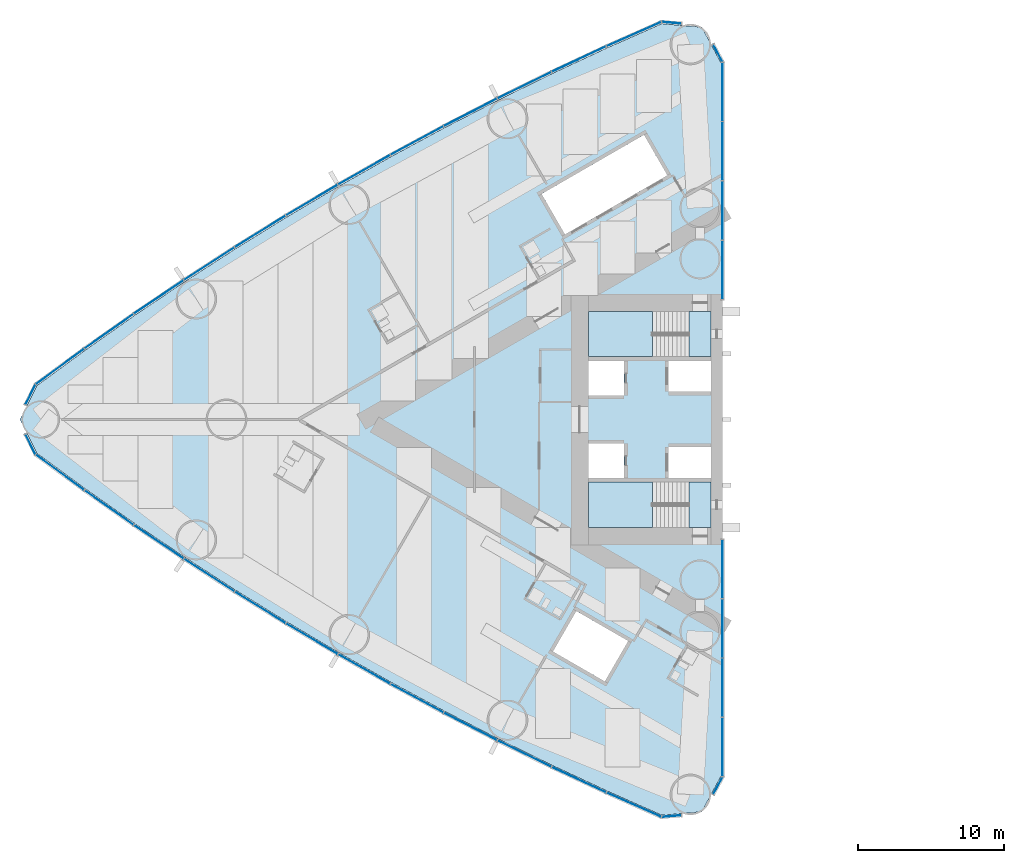
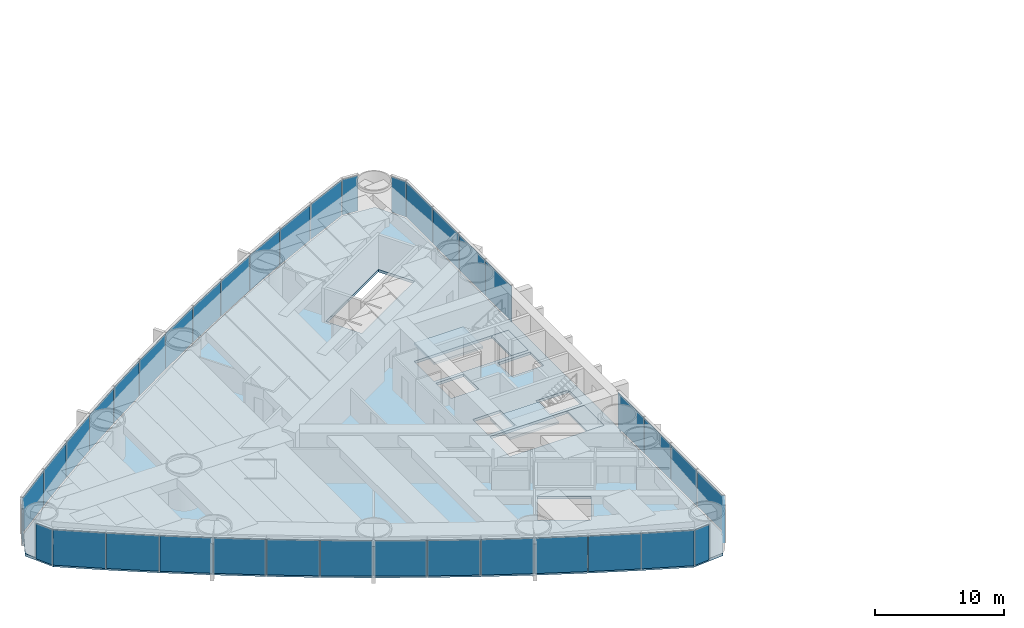
# One storey, part 9 of 19: 38 plates, 5 slabs, 6 elements without a shape of their own.
"""IFC4 building model written with IfcOpenShell, lengths in metres."""

from ifc_helpers import new_model, si_unit, direction, frame, origin, origin_2d, place, context, subcontext, project, spatial, polyline, rectangle, outline, extrude, material, layer, layer_set, type_object, element, aggregate, save


model = new_model("IFC4")

# Units and contexts
model_context = context("Model", 3, precision=1e-05, world=origin(), true_north=direction((0.0, 1.0)))
body_context = subcontext(model_context, "Body", "Model", "MODEL_VIEW")
ifc_project = project(units=[si_unit("LENGTHUNIT", "METRE"), si_unit("AREAUNIT", "SQUARE_METRE"), si_unit("VOLUMEUNIT", "CUBIC_METRE"), si_unit("PLANEANGLEUNIT", "RADIAN"), si_unit("MASSUNIT", "GRAM", prefix="KILO")], contexts=[model_context])

# Site, building, storey
site_placement = place(None, origin())
site = spatial("IfcSite", under=ifc_project, at=site_placement, CompositionType="ELEMENT")
building_placement = place(site_placement, origin())
building = spatial("IfcBuilding", under=site, at=building_placement, Name="Lancet Gate Hotel", CompositionType="ELEMENT")
storey_placement = place(building_placement, frame((0.0, 0.0, 39.0)))
storey = spatial("IfcBuildingStorey", under=building, at=storey_placement, Name="L09", CompositionType="ELEMENT", Elevation=39.0)

# Slab
ifc_material_1 = material(Name="Concrete C50/60", Category="concrete")
ifc_layer_1 = layer(ifc_material_1, 0.25)
ifc_layer_set_1 = layer_set([ifc_layer_1], Name="Floor slab 250")
slab_type_1 = type_object("IfcSlabType", Name="Floor slab 250", PredefinedType="FLOOR", material=ifc_layer_set_1)
slab_1_placement = place(storey_placement, frame((0.0, 0.0, -0.25)))
element("IfcSlab", 1, at=slab_1_placement, inside=storey, type_object=slab_type_1, Name="T1 L09 floor slab", PredefinedType="FLOOR", context=body_context, shape_type="SweptSolid", body=[
    extrude(outline(polyline([(-27.5, 8.60009765625), (-27.6201171875, 8.60009765625), (-27.6201171875, 24.4609375), (-28.926513671875, 26.8837890625), (-31.668212890625, 27.12353515625), (-35.424072265625, 25.458740234375), (-39.173583984375, 23.70849609375), (-42.887939453125, 21.884765625), (-46.56591796875, 19.98876953125), (-50.2060546875, 18.02099609375), (-53.806884765625, 15.982421875), (-57.366943359375, 13.87353515625), (-60.88525390625, 11.695068359375), (-64.360107421875, 9.448486328125), (-67.7900390625, 7.134033203125), (-71.17431640625, 4.752685546875), (-74.488525390625, 2.322021484375), (-75.65087890625, 0.0), (-74.488525390625, -2.322021484375), (-71.17431640625, -4.752685546875), (-67.7900390625, -7.134033203125), (-64.360107421875, -9.448486328125), (-60.88525390625, -11.695068359375), (-57.366943359375, -13.87353515625), (-53.806884765625, -15.982421875), (-50.2060546875, -18.02099609375), (-46.56591796875, -19.98876953125), (-42.887939453125, -21.884765625), (-39.173583984375, -23.70849609375), (-35.424072265625, -25.458740234375), (-31.668212890625, -27.12353515625), (-28.926513671875, -26.8837890625), (-27.6201171875, -24.4609375), (-27.6201171875, -8.60009765625), (-27.5, -8.60009765625), (-27.5, -8.199951171875), (-27.5, 8.199951171875), (-27.5, 8.60009765625)]), holes=[polyline([(-36.699951171875, 7.39990234375), (-36.699951171875, 4.300048828125), (-28.300048828125, 4.300048828125), (-28.300048828125, 7.39990234375), (-36.699951171875, 7.39990234375)]), polyline([(-28.300048828125, 4.0), (-31.199951171875, 4.0), (-31.199951171875, 1.89990234375), (-28.300048828125, 1.89990234375), (-28.300048828125, 4.0)]), polyline([(-34.25, 4.0), (-36.699951171875, 4.0), (-36.699951171875, 1.64990234375), (-34.25, 1.64990234375), (-34.25, 4.0)]), polyline([(-36.699951171875, -1.64990234375), (-36.699951171875, -4.0), (-34.25, -4.0), (-34.25, -1.64990234375), (-36.699951171875, -1.64990234375)]), polyline([(-28.300048828125, -1.89990234375), (-31.199951171875, -1.89990234375), (-31.199951171875, -4.0), (-28.300048828125, -4.0), (-28.300048828125, -1.89990234375)]), polyline([(-28.300048828125, -4.300048828125), (-36.699951171875, -4.300048828125), (-36.699951171875, -7.39990234375), (-28.300048828125, -7.39990234375), (-28.300048828125, -4.300048828125)]), polyline([(-31.2900390625, 16.73095703125), (-32.889892578125, 19.501953125), (-39.904052734375, 15.451904296875), (-38.303955078125, 12.680908203125), (-31.2900390625, 16.73095703125)]), polyline([(-33.97412109375, -15.180908203125), (-37.52490234375, -13.131103515625), (-39.125, -15.902099609375), (-35.573974609375, -17.951904296875), (-33.97412109375, -15.180908203125)])]), origin(), (0.0, 0.0, 1.0), 0.25),
])

# Stair, slabs
ifc_material_2 = material(Name="Exit stair 20 risers 1500")
stair_type = type_object("IfcStairType", Name="Exit stair 20 risers 1500", PredefinedType="HALF_TURN_STAIR", material=ifc_material_2)
stair_1_placement = place(storey_placement, origin())
stair_1 = element("IfcStair", 2, at=stair_1_placement, inside=storey, type_object=stair_type, Name="T1 stair 1 L09", PredefinedType="HALF_TURN_STAIR")
ifc_material_3 = material(Name="Concrete C40/50", Category="concrete")
ifc_layer_2 = layer(ifc_material_3, 0.199951171875)
ifc_layer_set_2 = layer_set([ifc_layer_2], Name="Stair landing 200")
slab_type_2 = type_object("IfcSlabType", Name="Stair landing 200", PredefinedType="LANDING", material=ifc_layer_set_2)
slab_2_placement = place(storey_placement, frame((0.0, 0.0, -0.199951171875)))
slab_2 = element("IfcSlab", 3, at=slab_2_placement, type_object=slab_type_2, Name="ST1 landing 1", PredefinedType="LANDING", context=body_context, shape_type="SweptSolid", body=[
    extrude(outline(polyline([(-28.300048828125, 7.39990234375), (-29.800048828125, 7.39990234375), (-29.800048828125, 4.300048828125), (-28.300048828125, 4.300048828125), (-28.300048828125, 7.39990234375)])), origin(), (0.0, 0.0, 1.0), 0.199951171875),
])
slab_3_placement = place(storey_placement, frame((0.0, 0.0, 1.550048828125)))
slab_3 = element("IfcSlab", 4, at=slab_3_placement, type_object=slab_type_2, Name="ST1 landing 2", PredefinedType="LANDING", context=body_context, shape_type="SweptSolid", body=[
    extrude(outline(polyline([(-32.320068359375, 7.39990234375), (-36.699951171875, 7.39990234375), (-36.699951171875, 4.300048828125), (-32.320068359375, 4.300048828125), (-32.320068359375, 7.39990234375)])), origin(), (0.0, 0.0, 1.0), 0.199951171875),
])
aggregate(stair_1, [slab_2, slab_3])

stair_2_placement = place(storey_placement, origin())
stair_2 = element("IfcStair", 5, at=stair_2_placement, inside=storey, type_object=stair_type, Name="T1 stair 2 L09", PredefinedType="HALF_TURN_STAIR")
slab_4_placement = place(storey_placement, frame((0.0, 0.0, -0.199951171875)))
slab_4 = element("IfcSlab", 6, at=slab_4_placement, type_object=slab_type_2, Name="ST2 landing 1", PredefinedType="LANDING", context=body_context, shape_type="SweptSolid", body=[
    extrude(outline(polyline([(-28.300048828125, -4.300048828125), (-29.800048828125, -4.300048828125), (-29.800048828125, -7.39990234375), (-28.300048828125, -7.39990234375), (-28.300048828125, -4.300048828125)])), origin(), (0.0, 0.0, 1.0), 0.199951171875),
])
slab_5_placement = place(storey_placement, frame((0.0, 0.0, 1.550048828125)))
slab_5 = element("IfcSlab", 7, at=slab_5_placement, type_object=slab_type_2, Name="ST2 landing 2", PredefinedType="LANDING", context=body_context, shape_type="SweptSolid", body=[
    extrude(outline(polyline([(-32.320068359375, -4.300048828125), (-36.699951171875, -4.300048828125), (-36.699951171875, -7.39990234375), (-32.320068359375, -7.39990234375), (-32.320068359375, -4.300048828125)])), origin(), (0.0, 0.0, 1.0), 0.199951171875),
])
aggregate(stair_2, [slab_4, slab_5])

# Curtain wall, plates
ifc_material_4 = material(Name="Aluminium curtain wall", Category="aluminium")
curtain_wall_type = type_object("IfcCurtainWallType", Name="Tower unitised curtain wall", PredefinedType="USERDEFINED", material=ifc_material_4)
curtain_wall_1_placement = place(storey_placement, origin())
curtain_wall_1 = element("IfcCurtainWall", 8, at=curtain_wall_1_placement, inside=storey, type_object=curtain_wall_type, Name="T1 L09 curtain wall 1", ObjectType="UNITISED CURTAIN WALL", PredefinedType="USERDEFINED")
ifc_material_5 = material(Name="Glass double glazed unit 8-16-6", Category="glass")
ifc_layer_3 = layer(ifc_material_5, 0.030029296875)
ifc_layer_set_3 = layer_set([ifc_layer_3], Name="Vision panel double glazed")
plate_type = type_object("IfcPlateType", Name="Vision panel double glazed", PredefinedType="CURTAIN_PANEL", material=ifc_layer_set_3)
plate_1_placement = place(storey_placement, frame((-27.5, 10.236328125, 0.0), z_axis=(0.0, 0.0, 1.0), x_axis=(0.0, 1.0, 0.0)))
plate_1 = element("IfcPlate", 9, at=plate_1_placement, type_object=plate_type, Name="T1 L09 curtain wall 1 panel 1", PredefinedType="CURTAIN_PANEL", context=body_context, shape_type="SweptSolid", body=[
    extrude(rectangle(XDim=4.0078125, YDim=0.030029296875, at=origin_2d()), origin(), (0.0, 0.0, 1.0), 3.35009765625),
])
plate_2_placement = place(storey_placement, frame((-27.5, 14.30908203125, 0.0), z_axis=(0.0, 0.0, 1.0), x_axis=(0.0, 1.0, 0.0)))
plate_2 = element("IfcPlate", 10, at=plate_2_placement, type_object=plate_type, Name="T1 L09 curtain wall 1 panel 2", PredefinedType="CURTAIN_PANEL", context=body_context, shape_type="SweptSolid", body=[
    extrude(rectangle(XDim=4.0078125, YDim=0.030029296875, at=origin_2d()), origin(), (0.0, 0.0, 1.0), 3.35009765625),
])
plate_3_placement = place(storey_placement, frame((-27.5, 18.382080078125, 0.0), z_axis=(0.0, 0.0, 1.0), x_axis=(0.0, 1.0, 0.0)))
plate_3 = element("IfcPlate", 11, at=plate_3_placement, type_object=plate_type, Name="T1 L09 curtain wall 1 panel 3", PredefinedType="CURTAIN_PANEL", context=body_context, shape_type="SweptSolid", body=[
    extrude(rectangle(XDim=4.0078125, YDim=0.030029296875, at=origin_2d()), origin(), (0.0, 0.0, 1.0), 3.35009765625),
])
plate_4_placement = place(storey_placement, frame((-27.5, 22.454833984375, 0.0), z_axis=(0.0, 0.0, 1.0), x_axis=(0.0, 1.0, 0.0)))
plate_4 = element("IfcPlate", 12, at=plate_4_placement, type_object=plate_type, Name="T1 L09 curtain wall 1 panel 4", PredefinedType="CURTAIN_PANEL", context=body_context, shape_type="SweptSolid", body=[
    extrude(rectangle(XDim=4.0078125, YDim=0.030029296875, at=origin_2d()), origin(), (0.0, 0.0, 1.0), 3.35009765625),
])
plate_5_placement = place(storey_placement, frame((-27.829345703125, 25.10205078125, 0.0), z_axis=(0.0, 0.0, 1.0), x_axis=(-0.474631040972, 0.880184852714, 0.0)))
plate_5 = element("IfcPlate", 13, at=plate_5_placement, type_object=plate_type, Name="T1 L09 curtain wall 1 panel 5", PredefinedType="CURTAIN_PANEL", context=body_context, shape_type="SweptSolid", body=[
    extrude(rectangle(XDim=1.322998046875, YDim=0.030029296875, at=origin_2d()), origin(), (0.0, 0.0, 1.0), 3.35009765625),
])
aggregate(curtain_wall_1, [plate_1, plate_2, plate_3, plate_4, plate_5])

curtain_wall_2_placement = place(storey_placement, origin())
curtain_wall_2 = element("IfcCurtainWall", 14, at=curtain_wall_2_placement, inside=storey, type_object=curtain_wall_type, Name="T1 L09 curtain wall 2", ObjectType="UNITISED CURTAIN WALL", PredefinedType="USERDEFINED")
plate_6_placement = place(storey_placement, frame((-30.99658203125, 27.185302734375, 0.0), z_axis=(0.0, 0.0, 1.0), x_axis=(-0.99620380374, 0.087051602022, 0.0)))
plate_6 = element("IfcPlate", 15, at=plate_6_placement, type_object=plate_type, Name="T1 L09 curtain wall 2 panel 1", PredefinedType="CURTAIN_PANEL", context=body_context, shape_type="SweptSolid", body=[
    extrude(rectangle(XDim=1.32421875, YDim=0.030029296875, at=origin_2d()), origin(), (0.0, 0.0, 1.0), 3.35009765625),
])
plate_7_placement = place(storey_placement, frame((-33.581298828125, 26.406982421875, 0.0), z_axis=(0.0, 0.0, 1.0), x_axis=(-0.914234183208, -0.405186201954, 0.0)))
plate_7 = element("IfcPlate", 16, at=plate_7_placement, type_object=plate_type, Name="T1 L09 curtain wall 2 panel 2", PredefinedType="CURTAIN_PANEL", context=body_context, shape_type="SweptSolid", body=[
    extrude(rectangle(XDim=4.0751953125, YDim=0.030029296875, at=origin_2d()), origin(), (0.0, 0.0, 1.0), 3.35009765625),
])
plate_8_placement = place(storey_placement, frame((-37.349609375, 24.6923828125, 0.0), z_axis=(0.0, 0.0, 1.0), x_axis=(-0.906117767284, -0.423025521467, 0.0)))
plate_8 = element("IfcPlate", 17, at=plate_8_placement, type_object=plate_type, Name="T1 L09 curtain wall 2 panel 3", PredefinedType="CURTAIN_PANEL", context=body_context, shape_type="SweptSolid", body=[
    extrude(rectangle(XDim=4.0751953125, YDim=0.030029296875, at=origin_2d()), origin(), (0.0, 0.0, 1.0), 3.35009765625),
])
plate_9_placement = place(storey_placement, frame((-41.083740234375, 22.904296875, 0.0), z_axis=(0.0, 0.0, 1.0), x_axis=(-0.897653295642, -0.440702349463, 0.0)))
plate_9 = element("IfcPlate", 18, at=plate_9_placement, type_object=plate_type, Name="T1 L09 curtain wall 2 panel 4", PredefinedType="CURTAIN_PANEL", context=body_context, shape_type="SweptSolid", body=[
    extrude(rectangle(XDim=4.0751953125, YDim=0.030029296875, at=origin_2d()), origin(), (0.0, 0.0, 1.0), 3.35009765625),
])
plate_10_placement = place(storey_placement, frame((-44.781982421875, 21.04345703125, 0.0), z_axis=(0.0, 0.0, 1.0), x_axis=(-0.888844019644, -0.458209895946, 0.0)))
plate_10 = element("IfcPlate", 19, at=plate_10_placement, type_object=plate_type, Name="T1 L09 curtain wall 2 panel 5", PredefinedType="CURTAIN_PANEL", context=body_context, shape_type="SweptSolid", body=[
    extrude(rectangle(XDim=4.0751953125, YDim=0.030029296875, at=origin_2d()), origin(), (0.0, 0.0, 1.0), 3.35009765625),
])
plate_11_placement = place(storey_placement, frame((-48.443115234375, 19.110595703125, 0.0), z_axis=(0.0, 0.0, 1.0), x_axis=(-0.87969332307, -0.475541435993, 0.0)))
plate_11 = element("IfcPlate", 20, at=plate_11_placement, type_object=plate_type, Name="T1 L09 curtain wall 2 panel 6", PredefinedType="CURTAIN_PANEL", context=body_context, shape_type="SweptSolid", body=[
    extrude(rectangle(XDim=4.0751953125, YDim=0.030029296875, at=origin_2d()), origin(), (0.0, 0.0, 1.0), 3.35009765625),
])
plate_12_placement = place(storey_placement, frame((-52.065673828125, 17.106201171875, 0.0), z_axis=(0.0, 0.0, 1.0), x_axis=(-0.870204720871, -0.492690312238, 0.0)))
plate_12 = element("IfcPlate", 21, at=plate_12_placement, type_object=plate_type, Name="T1 L09 curtain wall 2 panel 7", PredefinedType="CURTAIN_PANEL", context=body_context, shape_type="SweptSolid", body=[
    extrude(rectangle(XDim=4.0751953125, YDim=0.030029296875, at=origin_2d()), origin(), (0.0, 0.0, 1.0), 3.35009765625),
])
plate_13_placement = place(storey_placement, frame((-55.648193359375, 15.031005859375, 0.0), z_axis=(0.0, 0.0, 1.0), x_axis=(-0.860381857795, -0.509649937484, 0.0)))
plate_13 = element("IfcPlate", 22, at=plate_13_placement, type_object=plate_type, Name="T1 L09 curtain wall 2 panel 8", PredefinedType="CURTAIN_PANEL", context=body_context, shape_type="SweptSolid", body=[
    extrude(rectangle(XDim=4.0751953125, YDim=0.030029296875, at=origin_2d()), origin(), (0.0, 0.0, 1.0), 3.35009765625),
])
plate_14_placement = place(storey_placement, frame((-59.189208984375, 12.88623046875, 0.0), z_axis=(0.0, 0.0, 1.0), x_axis=(-0.850228506958, -0.52641379727, 0.0)))
plate_14 = element("IfcPlate", 23, at=plate_14_placement, type_object=plate_type, Name="T1 L09 curtain wall 2 panel 9", PredefinedType="CURTAIN_PANEL", context=body_context, shape_type="SweptSolid", body=[
    extrude(rectangle(XDim=4.0751953125, YDim=0.030029296875, at=origin_2d()), origin(), (0.0, 0.0, 1.0), 3.35009765625),
])
plate_15_placement = place(storey_placement, frame((-62.687744140625, 10.672607421875, 0.0), z_axis=(0.0, 0.0, 1.0), x_axis=(-0.839748568448, -0.54297545229, 0.0)))
plate_15 = element("IfcPlate", 24, at=plate_15_placement, type_object=plate_type, Name="T1 L09 curtain wall 2 panel 10", PredefinedType="CURTAIN_PANEL", context=body_context, shape_type="SweptSolid", body=[
    extrude(rectangle(XDim=4.0751953125, YDim=0.030029296875, at=origin_2d()), origin(), (0.0, 0.0, 1.0), 3.35009765625),
])
plate_16_placement = place(storey_placement, frame((-66.142333984375, 8.390625, 0.0), z_axis=(0.0, 0.0, 1.0), x_axis=(-0.828946067803, -0.559328540907, 0.0)))
plate_16 = element("IfcPlate", 25, at=plate_16_placement, type_object=plate_type, Name="T1 L09 curtain wall 2 panel 11", PredefinedType="CURTAIN_PANEL", context=body_context, shape_type="SweptSolid", body=[
    extrude(rectangle(XDim=4.0751953125, YDim=0.030029296875, at=origin_2d()), origin(), (0.0, 0.0, 1.0), 3.35009765625),
])
plate_17_placement = place(storey_placement, frame((-69.55126953125, 6.04150390625, 0.0), z_axis=(0.0, 0.0, 1.0), x_axis=(-0.817825154435, -0.575466781642, 0.0)))
plate_17 = element("IfcPlate", 26, at=plate_17_placement, type_object=plate_type, Name="T1 L09 curtain wall 2 panel 12", PredefinedType="CURTAIN_PANEL", context=body_context, shape_type="SweptSolid", body=[
    extrude(rectangle(XDim=4.0751953125, YDim=0.030029296875, at=origin_2d()), origin(), (0.0, 0.0, 1.0), 3.35009765625),
])
plate_18_placement = place(storey_placement, frame((-72.91357421875, 3.6259765625, 0.0), z_axis=(0.0, 0.0, 1.0), x_axis=(-0.80639010009, -0.591383975499, 0.0)))
plate_18 = element("IfcPlate", 27, at=plate_18_placement, type_object=plate_type, Name="T1 L09 curtain wall 2 panel 13", PredefinedType="CURTAIN_PANEL", context=body_context, shape_type="SweptSolid", body=[
    extrude(rectangle(XDim=4.0751953125, YDim=0.030029296875, at=origin_2d()), origin(), (0.0, 0.0, 1.0), 3.35009765625),
])
plate_19_placement = place(storey_placement, frame((-74.93505859375, 1.6982421875, 0.0), z_axis=(0.0, 0.0, 1.0), x_axis=(-0.447628324726, -0.89421970617, 0.0)))
plate_19 = element("IfcPlate", 28, at=plate_19_placement, type_object=plate_type, Name="T1 L09 curtain wall 2 panel 14", PredefinedType="CURTAIN_PANEL", context=body_context, shape_type="SweptSolid", body=[
    extrude(rectangle(XDim=1.50830078125, YDim=0.030029296875, at=origin_2d()), origin(), (0.0, 0.0, 1.0), 3.35009765625),
])
aggregate(curtain_wall_2, [plate_6, plate_7, plate_8, plate_9, plate_10, plate_11, plate_12, plate_13, plate_14, plate_15, plate_16, plate_17, plate_18, plate_19])

curtain_wall_3_placement = place(storey_placement, origin())
curtain_wall_3 = element("IfcCurtainWall", 29, at=curtain_wall_3_placement, inside=storey, type_object=curtain_wall_type, Name="T1 L09 curtain wall 3", ObjectType="UNITISED CURTAIN WALL", PredefinedType="USERDEFINED")
plate_20_placement = place(storey_placement, frame((-74.93505859375, -1.6982421875, 0.0), z_axis=(0.0, 0.0, 1.0), x_axis=(0.447628324726, -0.89421970617, 0.0)))
plate_20 = element("IfcPlate", 30, at=plate_20_placement, type_object=plate_type, Name="T1 L09 curtain wall 3 panel 1", PredefinedType="CURTAIN_PANEL", context=body_context, shape_type="SweptSolid", body=[
    extrude(rectangle(XDim=1.50830078125, YDim=0.030029296875, at=origin_2d()), origin(), (0.0, 0.0, 1.0), 3.35009765625),
])
plate_21_placement = place(storey_placement, frame((-72.91357421875, -3.6259765625, 0.0), z_axis=(0.0, 0.0, 1.0), x_axis=(0.80639010009, -0.591383975499, 0.0)))
plate_21 = element("IfcPlate", 31, at=plate_21_placement, type_object=plate_type, Name="T1 L09 curtain wall 3 panel 2", PredefinedType="CURTAIN_PANEL", context=body_context, shape_type="SweptSolid", body=[
    extrude(rectangle(XDim=4.0751953125, YDim=0.030029296875, at=origin_2d()), origin(), (0.0, 0.0, 1.0), 3.35009765625),
])
plate_22_placement = place(storey_placement, frame((-69.55126953125, -6.04150390625, 0.0), z_axis=(0.0, 0.0, 1.0), x_axis=(0.817825154435, -0.575466781642, 0.0)))
plate_22 = element("IfcPlate", 32, at=plate_22_placement, type_object=plate_type, Name="T1 L09 curtain wall 3 panel 3", PredefinedType="CURTAIN_PANEL", context=body_context, shape_type="SweptSolid", body=[
    extrude(rectangle(XDim=4.0751953125, YDim=0.030029296875, at=origin_2d()), origin(), (0.0, 0.0, 1.0), 3.35009765625),
])
plate_23_placement = place(storey_placement, frame((-66.142333984375, -8.390625, 0.0), z_axis=(0.0, 0.0, 1.0), x_axis=(0.828946067803, -0.559328540907, 0.0)))
plate_23 = element("IfcPlate", 33, at=plate_23_placement, type_object=plate_type, Name="T1 L09 curtain wall 3 panel 4", PredefinedType="CURTAIN_PANEL", context=body_context, shape_type="SweptSolid", body=[
    extrude(rectangle(XDim=4.0751953125, YDim=0.030029296875, at=origin_2d()), origin(), (0.0, 0.0, 1.0), 3.35009765625),
])
plate_24_placement = place(storey_placement, frame((-62.687744140625, -10.672607421875, 0.0), z_axis=(0.0, 0.0, 1.0), x_axis=(0.839748568448, -0.54297545229, 0.0)))
plate_24 = element("IfcPlate", 34, at=plate_24_placement, type_object=plate_type, Name="T1 L09 curtain wall 3 panel 5", PredefinedType="CURTAIN_PANEL", context=body_context, shape_type="SweptSolid", body=[
    extrude(rectangle(XDim=4.0751953125, YDim=0.030029296875, at=origin_2d()), origin(), (0.0, 0.0, 1.0), 3.35009765625),
])
plate_25_placement = place(storey_placement, frame((-59.189208984375, -12.88623046875, 0.0), z_axis=(0.0, 0.0, 1.0), x_axis=(0.850228506958, -0.52641379727, 0.0)))
plate_25 = element("IfcPlate", 35, at=plate_25_placement, type_object=plate_type, Name="T1 L09 curtain wall 3 panel 6", PredefinedType="CURTAIN_PANEL", context=body_context, shape_type="SweptSolid", body=[
    extrude(rectangle(XDim=4.0751953125, YDim=0.030029296875, at=origin_2d()), origin(), (0.0, 0.0, 1.0), 3.35009765625),
])
plate_26_placement = place(storey_placement, frame((-55.648193359375, -15.031005859375, 0.0), z_axis=(0.0, 0.0, 1.0), x_axis=(0.860381857795, -0.509649937484, 0.0)))
plate_26 = element("IfcPlate", 36, at=plate_26_placement, type_object=plate_type, Name="T1 L09 curtain wall 3 panel 7", PredefinedType="CURTAIN_PANEL", context=body_context, shape_type="SweptSolid", body=[
    extrude(rectangle(XDim=4.0751953125, YDim=0.030029296875, at=origin_2d()), origin(), (0.0, 0.0, 1.0), 3.35009765625),
])
plate_27_placement = place(storey_placement, frame((-52.065673828125, -17.106201171875, 0.0), z_axis=(0.0, 0.0, 1.0), x_axis=(0.870204720871, -0.492690312238, 0.0)))
plate_27 = element("IfcPlate", 37, at=plate_27_placement, type_object=plate_type, Name="T1 L09 curtain wall 3 panel 8", PredefinedType="CURTAIN_PANEL", context=body_context, shape_type="SweptSolid", body=[
    extrude(rectangle(XDim=4.0751953125, YDim=0.030029296875, at=origin_2d()), origin(), (0.0, 0.0, 1.0), 3.35009765625),
])
plate_28_placement = place(storey_placement, frame((-48.443115234375, -19.110595703125, 0.0), z_axis=(0.0, 0.0, 1.0), x_axis=(0.87969332307, -0.475541435993, 0.0)))
plate_28 = element("IfcPlate", 38, at=plate_28_placement, type_object=plate_type, Name="T1 L09 curtain wall 3 panel 9", PredefinedType="CURTAIN_PANEL", context=body_context, shape_type="SweptSolid", body=[
    extrude(rectangle(XDim=4.0751953125, YDim=0.030029296875, at=origin_2d()), origin(), (0.0, 0.0, 1.0), 3.35009765625),
])
plate_29_placement = place(storey_placement, frame((-44.781982421875, -21.04345703125, 0.0), z_axis=(0.0, 0.0, 1.0), x_axis=(0.888844019644, -0.458209895946, 0.0)))
plate_29 = element("IfcPlate", 39, at=plate_29_placement, type_object=plate_type, Name="T1 L09 curtain wall 3 panel 10", PredefinedType="CURTAIN_PANEL", context=body_context, shape_type="SweptSolid", body=[
    extrude(rectangle(XDim=4.0751953125, YDim=0.030029296875, at=origin_2d()), origin(), (0.0, 0.0, 1.0), 3.35009765625),
])
plate_30_placement = place(storey_placement, frame((-41.083740234375, -22.904296875, 0.0), z_axis=(0.0, 0.0, 1.0), x_axis=(0.897653295642, -0.440702349463, 0.0)))
plate_30 = element("IfcPlate", 40, at=plate_30_placement, type_object=plate_type, Name="T1 L09 curtain wall 3 panel 11", PredefinedType="CURTAIN_PANEL", context=body_context, shape_type="SweptSolid", body=[
    extrude(rectangle(XDim=4.0751953125, YDim=0.030029296875, at=origin_2d()), origin(), (0.0, 0.0, 1.0), 3.35009765625),
])
plate_31_placement = place(storey_placement, frame((-37.349609375, -24.6923828125, 0.0), z_axis=(0.0, 0.0, 1.0), x_axis=(0.906117767284, -0.423025521467, 0.0)))
plate_31 = element("IfcPlate", 41, at=plate_31_placement, type_object=plate_type, Name="T1 L09 curtain wall 3 panel 12", PredefinedType="CURTAIN_PANEL", context=body_context, shape_type="SweptSolid", body=[
    extrude(rectangle(XDim=4.0751953125, YDim=0.030029296875, at=origin_2d()), origin(), (0.0, 0.0, 1.0), 3.35009765625),
])
plate_32_placement = place(storey_placement, frame((-33.581298828125, -26.406982421875, 0.0), z_axis=(0.0, 0.0, 1.0), x_axis=(0.914234183208, -0.405186201954, 0.0)))
plate_32 = element("IfcPlate", 42, at=plate_32_placement, type_object=plate_type, Name="T1 L09 curtain wall 3 panel 13", PredefinedType="CURTAIN_PANEL", context=body_context, shape_type="SweptSolid", body=[
    extrude(rectangle(XDim=4.0751953125, YDim=0.030029296875, at=origin_2d()), origin(), (0.0, 0.0, 1.0), 3.35009765625),
])
plate_33_placement = place(storey_placement, frame((-30.99658203125, -27.185302734375, 0.0), z_axis=(0.0, 0.0, 1.0), x_axis=(0.99620380374, 0.087051602022, 0.0)))
plate_33 = element("IfcPlate", 43, at=plate_33_placement, type_object=plate_type, Name="T1 L09 curtain wall 3 panel 14", PredefinedType="CURTAIN_PANEL", context=body_context, shape_type="SweptSolid", body=[
    extrude(rectangle(XDim=1.32421875, YDim=0.030029296875, at=origin_2d()), origin(), (0.0, 0.0, 1.0), 3.35009765625),
])
aggregate(curtain_wall_3, [plate_20, plate_21, plate_22, plate_23, plate_24, plate_25, plate_26, plate_27, plate_28, plate_29, plate_30, plate_31, plate_32, plate_33])

curtain_wall_4_placement = place(storey_placement, origin())
curtain_wall_4 = element("IfcCurtainWall", 44, at=curtain_wall_4_placement, inside=storey, type_object=curtain_wall_type, Name="T1 L09 curtain wall 4", ObjectType="UNITISED CURTAIN WALL", PredefinedType="USERDEFINED")
plate_34_placement = place(storey_placement, frame((-27.829345703125, -25.10205078125, 0.0), z_axis=(0.0, 0.0, 1.0), x_axis=(0.474631040972, 0.880184852714, 0.0)))
plate_34 = element("IfcPlate", 45, at=plate_34_placement, type_object=plate_type, Name="T1 L09 curtain wall 4 panel 1", PredefinedType="CURTAIN_PANEL", context=body_context, shape_type="SweptSolid", body=[
    extrude(rectangle(XDim=1.322998046875, YDim=0.030029296875, at=origin_2d()), origin(), (0.0, 0.0, 1.0), 3.35009765625),
])
plate_35_placement = place(storey_placement, frame((-27.5, -22.454833984375, 0.0), z_axis=(0.0, 0.0, 1.0), x_axis=(0.0, 1.0, 0.0)))
plate_35 = element("IfcPlate", 46, at=plate_35_placement, type_object=plate_type, Name="T1 L09 curtain wall 4 panel 2", PredefinedType="CURTAIN_PANEL", context=body_context, shape_type="SweptSolid", body=[
    extrude(rectangle(XDim=4.0078125, YDim=0.030029296875, at=origin_2d()), origin(), (0.0, 0.0, 1.0), 3.35009765625),
])
plate_36_placement = place(storey_placement, frame((-27.5, -18.382080078125, 0.0), z_axis=(0.0, 0.0, 1.0), x_axis=(0.0, 1.0, 0.0)))
plate_36 = element("IfcPlate", 47, at=plate_36_placement, type_object=plate_type, Name="T1 L09 curtain wall 4 panel 3", PredefinedType="CURTAIN_PANEL", context=body_context, shape_type="SweptSolid", body=[
    extrude(rectangle(XDim=4.0078125, YDim=0.030029296875, at=origin_2d()), origin(), (0.0, 0.0, 1.0), 3.35009765625),
])
plate_37_placement = place(storey_placement, frame((-27.5, -14.30908203125, 0.0), z_axis=(0.0, 0.0, 1.0), x_axis=(0.0, 1.0, 0.0)))
plate_37 = element("IfcPlate", 48, at=plate_37_placement, type_object=plate_type, Name="T1 L09 curtain wall 4 panel 4", PredefinedType="CURTAIN_PANEL", context=body_context, shape_type="SweptSolid", body=[
    extrude(rectangle(XDim=4.0078125, YDim=0.030029296875, at=origin_2d()), origin(), (0.0, 0.0, 1.0), 3.35009765625),
])
plate_38_placement = place(storey_placement, frame((-27.5, -10.236328125, 0.0), z_axis=(0.0, 0.0, 1.0), x_axis=(0.0, 1.0, 0.0)))
plate_38 = element("IfcPlate", 49, at=plate_38_placement, type_object=plate_type, Name="T1 L09 curtain wall 4 panel 5", PredefinedType="CURTAIN_PANEL", context=body_context, shape_type="SweptSolid", body=[
    extrude(rectangle(XDim=4.0078125, YDim=0.030029296875, at=origin_2d()), origin(), (0.0, 0.0, 1.0), 3.35009765625),
])
aggregate(curtain_wall_4, [plate_34, plate_35, plate_36, plate_37, plate_38])

save(model, "model.ifc")
